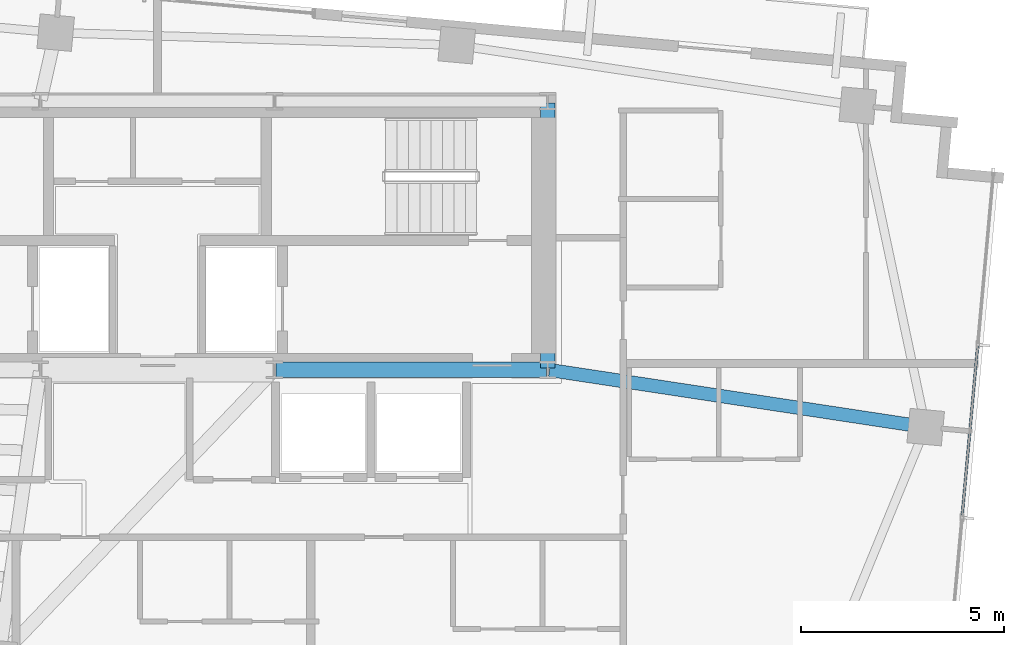
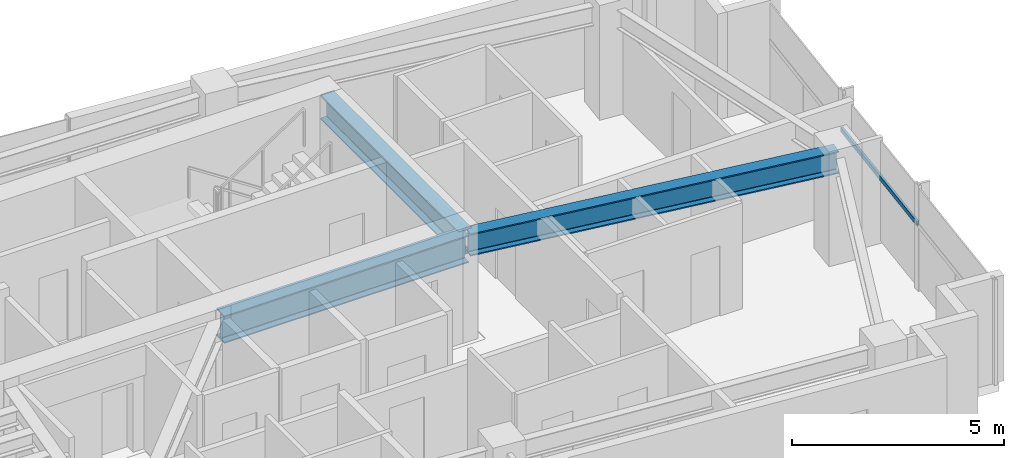
# One storey, part 13 of 22: 3 beams, 1 member, 1 element without a shape of its own.
"""IFC4 building model written with IfcOpenShell, lengths in metres."""

from ifc_helpers import new_model, si_unit, direction, frame, origin, origin_2d, place, context, subcontext, project, spatial, hollow_rectangle, i_section, extrude, source, transform, mapped, material, material_profile, profile_set, type_object, type_shapes, element, aggregate, save


model = new_model("IFC4")

# Units and contexts
model_context = context("Model", 3, precision=1e-05, world=origin(), true_north=direction((0.0, 1.0)))
body_context = subcontext(model_context, "Body", "Model", "MODEL_VIEW")
ifc_project = project(units=[si_unit("LENGTHUNIT", "METRE"), si_unit("AREAUNIT", "SQUARE_METRE"), si_unit("VOLUMEUNIT", "CUBIC_METRE"), si_unit("PLANEANGLEUNIT", "RADIAN"), si_unit("MASSUNIT", "GRAM", prefix="KILO")], contexts=[model_context])

# Site, building, storey
site_placement = place(None, origin())
site = spatial("IfcSite", under=ifc_project, at=site_placement, CompositionType="ELEMENT")
building_placement = place(site_placement, origin())
building = spatial("IfcBuilding", under=site, at=building_placement, Name="Astriad Promenade Condominiums", CompositionType="ELEMENT")
storey_placement = place(building_placement, frame((0.0, 0.0, 236.39990234375)))
storey = spatial("IfcBuildingStorey", under=building, at=storey_placement, Name="L68", CompositionType="ELEMENT", Elevation=236.39990234375)

# Beams
ifc_material_1 = material(Name="Steel ASTM A992 Grade 50", Category="steel")
ifc_material_profile_1 = material_profile(ifc_material_1, i_section(OverallWidth=0.3837890625, OverallDepth=0.785888671875, WebThickness=0.019775390625, FlangeThickness=0.033447265625, FilletRadius=0.021484375, at=origin_2d()), Name="W30X211")
ifc_profile_set_1 = profile_set([ifc_material_profile_1], Name="Steel ASTM A992 Grade 50")
beam_type_1 = type_object("IfcBeamType", Name="STEEL FLOOR GIRDER W30X211", PredefinedType="BEAM", material=ifc_profile_set_1)
shared_shape_1 = source(origin(), body_context, "Body", "SweptSolid", [
    extrude(i_section(OverallWidth=0.3837890625, OverallDepth=0.785888671875, WebThickness=0.019775390625, FlangeThickness=0.033447265625, FilletRadius=0.021484375, at=origin_2d()), origin(), (0.0, 0.0, 1.0), 6.64013671875),
])
type_shapes(beam_type_1, [shared_shape_1])
beam_1_placement = place(storey_placement, frame((38.919921875, 17.39990234375, 2.647216796875), z_axis=(1.0, 0.0, 0.0), x_axis=(0.0, 1.0, 0.0)))
element("IfcBeam", 1, at=beam_1_placement, inside=storey, type_object=beam_type_1, Name="Core Ring Beam CG-S3-L68", PredefinedType="BEAM", context=body_context, shape_type="MappedRepresentation", body=[
    mapped(shared_shape_1, transform((0.0, 0.0, 0.0), scale=1.0)),
])
ifc_material_profile_2 = material_profile(ifc_material_1, i_section(OverallWidth=0.35791015625, OverallDepth=0.706298828125, WebThickness=0.018310546875, FlangeThickness=0.0302734375, FilletRadius=0.020263671875, at=origin_2d()), Name="W27X178")
ifc_profile_set_2 = profile_set([ifc_material_profile_2], Name="Steel ASTM A992 Grade 50")
beam_type_2 = type_object("IfcBeamType", Name="STEEL FLOOR GIRDER W27X178", PredefinedType="BEAM", material=ifc_profile_set_2)
shared_shape_2 = source(origin(), body_context, "Body", "SweptSolid", [
    extrude(i_section(OverallWidth=0.35791015625, OverallDepth=0.706298828125, WebThickness=0.018310546875, FlangeThickness=0.0302734375, FilletRadius=0.020263671875, at=origin_2d()), origin(), (0.0, 0.0, 1.0), 6.52001953125),
])
type_shapes(beam_type_2, [shared_shape_2])
beam_2_placement = place(storey_placement, frame((45.60009765625, 17.43994140625, 2.68701171875), z_axis=(0.0, 1.0, 0.0), x_axis=(-1.0, 0.0, 0.0)))
element("IfcBeam", 2, at=beam_2_placement, inside=storey, type_object=beam_type_2, Name="Core Ring Beam CG-E1-L68", PredefinedType="BEAM", context=body_context, shape_type="MappedRepresentation", body=[
    mapped(shared_shape_2, transform((0.0, 0.0, 0.0), scale=1.0)),
])
ifc_material_profile_3 = material_profile(ifc_material_1, i_section(OverallWidth=0.327392578125, OverallDepth=0.640625, WebThickness=0.01904296875, FlangeThickness=0.033935546875, FilletRadius=0.017822265625, at=origin_2d()), Name="W24X176")
ifc_profile_set_3 = profile_set([ifc_material_profile_3], Name="Steel ASTM A992 Grade 50")
beam_type_3 = type_object("IfcBeamType", Name="STEEL FLOOR GIRDER W24X176", PredefinedType="BEAM", material=ifc_profile_set_3)
shared_shape_3 = source(origin(), body_context, "Body", "SweptSolid", [
    extrude(i_section(OverallWidth=0.327392578125, OverallDepth=0.640625, WebThickness=0.01904296875, FlangeThickness=0.033935546875, FilletRadius=0.017822265625, at=origin_2d()), origin(), (0.0, 0.0, 1.0), 9.315185546875),
])
type_shapes(beam_type_3, [shared_shape_3])
beam_3_placement = place(storey_placement, frame((54.84912109375, 15.995849609375, 2.7197265625), z_axis=(-0.988671230988, 0.150097291834, 0.0), x_axis=(-0.150097291834, -0.988671230988, 0.0)))
element("IfcBeam", 3, at=beam_3_placement, inside=storey, type_object=beam_type_3, Name="Primary Floor Girder PG-EM-L68", PredefinedType="BEAM", context=body_context, shape_type="MappedRepresentation", body=[
    mapped(shared_shape_3, transform((0.0, 0.0, 0.0), scale=1.0)),
])

# Curtain wall, member
ifc_material_2 = material(Name="Anodised aluminium Black Dark Glass Unitised", Category="aluminium")
curtain_wall_type = type_object("IfcCurtainWallType", Name="CW-B5-DARK", PredefinedType="USERDEFINED", material=ifc_material_2)
curtain_wall_placement = place(storey_placement, origin())
curtain_wall = element("IfcCurtainWall", 4, at=curtain_wall_placement, inside=storey, type_object=curtain_wall_type, Name="CW-L68-E", ObjectType="UNITISED_CURTAIN_WALL", PredefinedType="USERDEFINED")
ifc_material_3 = material(Name="Anodised aluminium 6063-T6 Black", Category="aluminium")
ifc_material_profile_4 = material_profile(ifc_material_3, hollow_rectangle(XDim=0.06494140625, YDim=0.1298828125, WallThickness=0.00390625, at=origin_2d()), Name="ALU-TRN-65X130")
ifc_profile_set_4 = profile_set([ifc_material_profile_4], Name="Anodised aluminium 6063-T6 Black")
member_type = type_object("IfcMemberType", Name="TRN-ALU-TRN-65X130", PredefinedType="USERDEFINED", material=ifc_profile_set_4)
shared_shape_4 = source(origin(), body_context, "Body", "SweptSolid", [
    extrude(hollow_rectangle(XDim=0.06494140625, YDim=0.1298828125, WallThickness=0.00390625, at=origin_2d()), origin(), (0.0, 0.0, 1.0), 4.266845703125),
])
type_shapes(member_type, [shared_shape_4])
member_placement = place(storey_placement, frame((56.16748046875, 18.015625, 1.885009765625), z_axis=(-0.090633767096, -0.995884290599, 0.0), x_axis=(0.995884290599, -0.090633767096, 0.0)))
member = element("IfcMember", 5, at=member_placement, type_object=member_type, Name="CW-L68-E-TRN-01-0", ObjectType="TRANSOM", PredefinedType="USERDEFINED", context=body_context, shape_type="MappedRepresentation", body=[
    mapped(shared_shape_4, transform((0.0, 0.0, 0.0), scale=1.0)),
])
aggregate(curtain_wall, [member])

save(model, "model.ifc")
